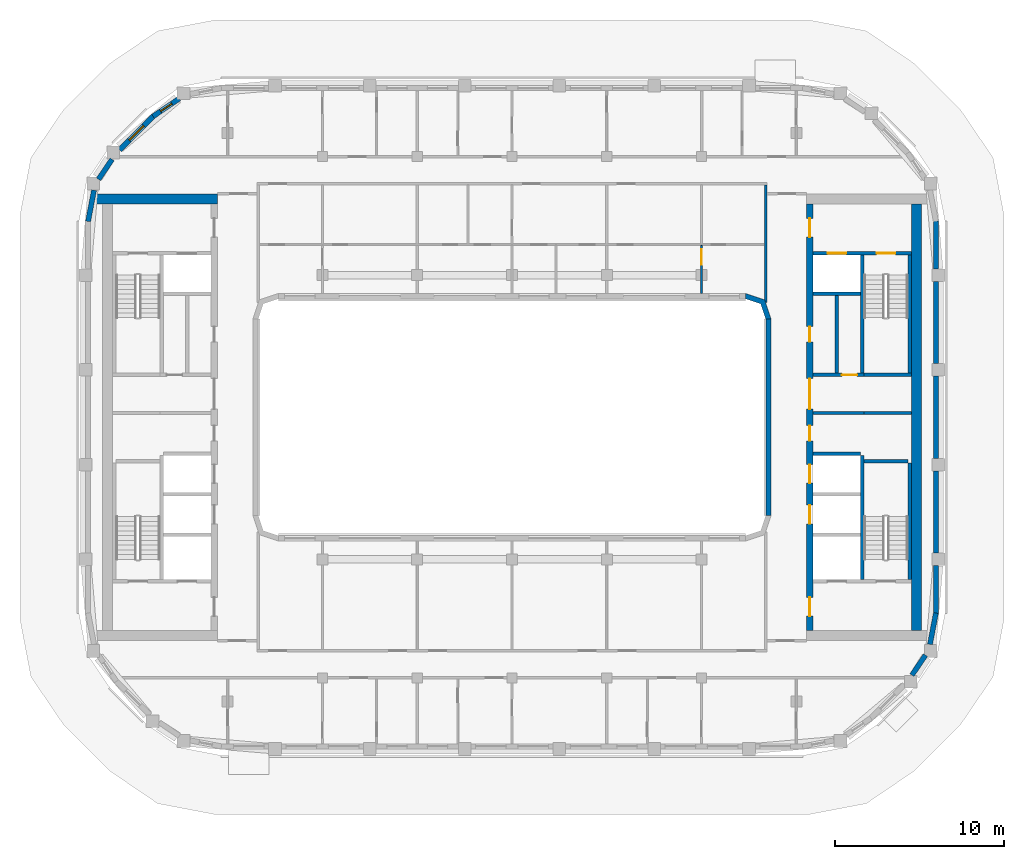
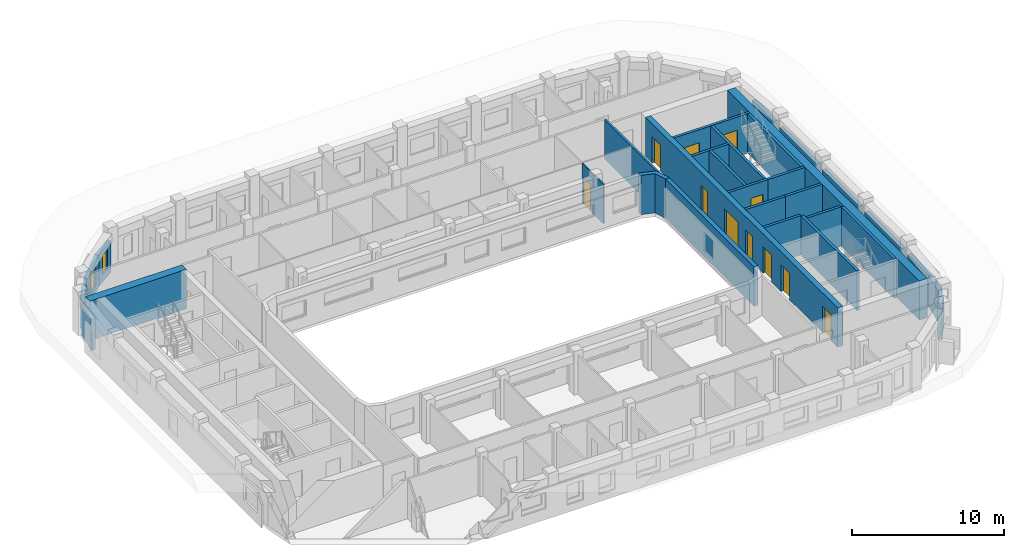
# One storey, part 6 of 14: 31 walls, 11 doors, 2 windows, 13 openings.
"""IFC4 building model written with IfcOpenShell, lengths in metres."""

from ifc_helpers import new_model, si_unit, direction, frame, frame_2d, origin, place, context, subcontext, project, spatial, polyline, rectangle, outline, extrude, material, layer, layer_set, type_object, element, fill, save


model = new_model("IFC4")

# Units and contexts
model_context = context("Model", 3, precision=1e-05, world=origin(), true_north=direction((0.0, 1.0)))
body_context = subcontext(model_context, "Body", "Model", "MODEL_VIEW")
ifc_project = project(units=[si_unit("LENGTHUNIT", "METRE"), si_unit("AREAUNIT", "SQUARE_METRE"), si_unit("VOLUMEUNIT", "CUBIC_METRE"), si_unit("PLANEANGLEUNIT", "RADIAN"), si_unit("MASSUNIT", "GRAM", prefix="KILO")], contexts=[model_context])

# Site, building, storey
site_placement = place(None, origin())
site = spatial("IfcSite", under=ifc_project, at=site_placement, CompositionType="ELEMENT")
building_placement = place(site_placement, origin())
building = spatial("IfcBuilding", under=site, at=building_placement, Name="Kiln Ring Residences", CompositionType="ELEMENT")
storey_placement = place(building_placement, frame((0.0, 0.0, 280.199951171875)))
storey = spatial("IfcBuildingStorey", under=building, at=storey_placement, Name="L73", CompositionType="ELEMENT", Elevation=280.199951171875)

# Walls
ifc_material_1 = material(Name="Gypsum board on steel studs", Category="steel")
ifc_layer_1 = layer(ifc_material_1, 0.199951171875)
ifc_layer_set_1 = layer_set([ifc_layer_1], Name="CORE-PARTITION-200")
wall_type_1 = type_object("IfcWallType", Name="CORE-PARTITION-200", PredefinedType="PARTITIONING", material=ifc_layer_set_1)
wall_1_placement = place(storey_placement, frame((20.800048828125, 0.25, 0.0), z_axis=(0.0, 0.0, 1.0), x_axis=(1.0, 0.0, 0.0)))
element("IfcWall", 1, at=wall_1_placement, inside=storey, type_object=wall_type_1, Name="Core partition east L73 1", PredefinedType="PARTITIONING", context=body_context, shape_type="SweptSolid", body=[
    extrude(rectangle(XDim=2.800048828125, YDim=0.199951171875, at=frame_2d((1.39990234375, 0.0))), origin(), (0.0, 0.0, 1.0), 3.150146484375),
])
wall_2_placement = place(storey_placement, frame((19.199951171875, 2.60009765625, 0.0), z_axis=(0.0, 0.0, 1.0), x_axis=(0.0, 1.0, 0.0)))
element("IfcWall", 2, at=wall_2_placement, inside=storey, type_object=wall_type_1, Name="Core partition east L73 2", PredefinedType="PARTITIONING", context=body_context, shape_type="SweptSolid", body=[
    extrude(rectangle(XDim=4.599853515625, YDim=0.199951171875, at=frame_2d((2.2998046875, 0.0))), origin(), (0.0, 0.0, 1.0), 3.150146484375),
])
ifc_material_2 = material(Name="Gypsum shaft wall system")
ifc_layer_2 = layer(ifc_material_2, 0.199951171875)
ifc_layer_set_2 = layer_set([ifc_layer_2], Name="CORE-SHAFT-WALL-200")
wall_type_2 = type_object("IfcWallType", Name="CORE-SHAFT-WALL-200", PredefinedType="PARTITIONING", material=ifc_layer_set_2)
wall_3_placement = place(storey_placement, frame((17.800048828125, -2.14990234375, 0.0), z_axis=(0.0, 0.0, 1.0), x_axis=(1.0, 0.0, 0.0)))
element("IfcWall", 3, at=wall_3_placement, inside=storey, type_object=wall_type_2, Name="Core partition east L73 5", PredefinedType="PARTITIONING", context=body_context, shape_type="SweptSolid", body=[
    extrude(rectangle(XDim=2.800048828125, YDim=0.199951171875, at=frame_2d((1.39990234375, 0.0))), origin(), (0.0, 0.0, 1.0), 3.150146484375),
])
wall_4_placement = place(storey_placement, frame((17.800048828125, 0.25, 0.0), z_axis=(0.0, 0.0, 1.0), x_axis=(1.0, 0.0, 0.0)))
element("IfcWall", 4, at=wall_4_placement, inside=storey, type_object=wall_type_2, Name="Core partition east L73 6", PredefinedType="PARTITIONING", context=body_context, shape_type="SweptSolid", body=[
    extrude(rectangle(XDim=3.0, YDim=0.199951171875, at=frame_2d((1.5, 0.0))), origin(), (0.0, 0.0, 1.0), 3.150146484375),
])

# Wall, opening, door
wall_5_placement = place(storey_placement, frame((17.800048828125, 2.5, 0.0), z_axis=(0.0, 0.0, 1.0), x_axis=(1.0, 0.0, 0.0)))
wall_5 = element("IfcWall", 5, at=wall_5_placement, inside=storey, type_object=wall_type_2, Name="Core partition east L73 7", PredefinedType="PARTITIONING", context=body_context, shape_type="SweptSolid", body=[
    extrude(rectangle(XDim=3.0, YDim=0.199951171875, at=frame_2d((1.5, 0.0))), origin(), (0.0, 0.0, 1.0), 3.150146484375),
])
opening_1_placement = place(wall_5_placement, frame((1.699951171875, 0.0, 0.0)))
opening_1 = element("IfcOpeningElement", 6, at=opening_1_placement, cuts=wall_5, Name="Opening L73-CE06", PredefinedType="OPENING", context=body_context, shape_type="SweptSolid", body=[
    extrude(rectangle(XDim=0.89990234375, YDim=2.10009765625, at=frame_2d((0.449951171875, 1.050048828125))), frame((0.0, 0.10986328125, 0.0), z_axis=(0.0, -1.0, 0.0), x_axis=(1.0, 0.0, 0.0)), (0.0, 0.0, 1.0), 0.219970703125),
])
ifc_material_3 = material(Name="Steel door leaf", Category="steel")
door_type_1 = type_object("IfcDoorType", Name="CORE-DOOR-ROOM", OperationType="SINGLE_SWING_LEFT", PredefinedType="DOOR", material=ifc_material_3)
door_1_placement = place(opening_1_placement, origin())
door_1 = element("IfcDoor", 7, at=door_1_placement, inside=storey, type_object=door_type_1, Name="Linen store L73-CE06", OperationType="SINGLE_SWING_RIGHT", OverallHeight=2.10009765625, OverallWidth=0.89990234375, PredefinedType="DOOR", context=body_context, shape_type="SweptSolid", body=[
    extrude(rectangle(XDim=0.89990234375, YDim=2.10009765625, at=frame_2d((0.449951171875, 1.050048828125))), frame((0.0, 0.02490234375, 0.0), z_axis=(0.0, -1.0, 0.0), x_axis=(1.0, 0.0, 0.0)), (0.0, 0.0, 1.0), 0.050048828125),
])
fill(opening_1, door_1)

# Walls
wall_6_placement = place(storey_placement, frame((17.800048828125, 7.300048828125, 0.0), z_axis=(0.0, 0.0, 1.0), x_axis=(1.0, 0.0, 0.0)))
element("IfcWall", 8, at=wall_6_placement, inside=storey, type_object=wall_type_2, Name="Core partition east L73 8", PredefinedType="PARTITIONING", context=body_context, shape_type="SweptSolid", body=[
    extrude(rectangle(XDim=2.800048828125, YDim=0.199951171875, at=frame_2d((1.39990234375, 0.0))), origin(), (0.0, 0.0, 1.0), 3.150146484375),
])
ifc_material_4 = material(Name="Concrete C40/50", Category="concrete")
ifc_layer_3 = layer(ifc_material_4, 0.199951171875)
ifc_layer_set_3 = layer_set([ifc_layer_3], Name="CORE-WALL-RC200")
wall_type_3 = type_object("IfcWallType", Name="CORE-WALL-RC200", PredefinedType="SHEAR", material=ifc_layer_set_3)
wall_7_placement = place(storey_placement, frame((20.699951171875, 2.60009765625, 0.0), z_axis=(0.0, 0.0, 1.0), x_axis=(0.0, 1.0, 0.0)))
element("IfcWall", 9, at=wall_7_placement, inside=storey, type_object=wall_type_3, Name="Core wall east L73 1", PredefinedType="SHEAR", context=body_context, shape_type="SweptSolid", body=[
    extrude(rectangle(XDim=7.0, YDim=0.199951171875, at=frame_2d((3.5, 0.0))), origin(), (0.0, 0.0, 1.0), 3.150146484375),
])
wall_8_placement = place(storey_placement, frame((20.699951171875, -9.60009765625, 0.0), z_axis=(0.0, 0.0, 1.0), x_axis=(0.0, 1.0, 0.0)))
element("IfcWall", 10, at=wall_8_placement, inside=storey, type_object=wall_type_3, Name="Core wall east L73 2", PredefinedType="SHEAR", context=body_context, shape_type="SweptSolid", body=[
    extrude(rectangle(XDim=7.35009765625, YDim=0.199951171875, at=frame_2d((3.675048828125, 0.0))), origin(), (0.0, 0.0, 1.0), 3.150146484375),
])
wall_9_placement = place(storey_placement, frame((20.800048828125, 2.5, 0.0), z_axis=(0.0, 0.0, 1.0), x_axis=(1.0, 0.0, 0.0)))
element("IfcWall", 11, at=wall_9_placement, inside=storey, type_object=wall_type_3, Name="Core wall east L73 3", PredefinedType="SHEAR", context=body_context, shape_type="SweptSolid", body=[
    extrude(rectangle(XDim=2.800048828125, YDim=0.199951171875, at=frame_2d((1.39990234375, 0.0))), origin(), (0.0, 0.0, 1.0), 3.150146484375),
])

# Wall, openings, doors
wall_10_placement = place(storey_placement, frame((17.800048828125, 9.699951171875, 0.0), z_axis=(0.0, 0.0, 1.0), x_axis=(1.0, 0.0, 0.0)))
wall_10 = element("IfcWall", 12, at=wall_10_placement, inside=storey, type_object=wall_type_3, Name="Core wall east L73 9", PredefinedType="SHEAR", context=body_context, shape_type="SweptSolid", body=[
    extrude(rectangle(XDim=5.800048828125, YDim=0.199951171875, at=frame_2d((2.89990234375, 0.0))), origin(), (0.0, 0.0, 1.0), 3.150146484375),
])
opening_2_placement = place(wall_10_placement, frame((0.85009765625, 0.0, 0.0)))
opening_2 = element("IfcOpeningElement", 13, at=opening_2_placement, cuts=wall_10, Name="Opening L73-CE07", PredefinedType="OPENING", context=body_context, shape_type="SweptSolid", body=[
    extrude(rectangle(XDim=1.10009765625, YDim=2.10009765625, at=frame_2d((0.550048828125, 1.050048828125))), frame((0.0, 0.10986328125, 0.0), z_axis=(0.0, -1.0, 0.0), x_axis=(1.0, 0.0, 0.0)), (0.0, 0.0, 1.0), 0.219970703125),
])
opening_3_placement = place(wall_10_placement, frame((3.75, 0.0, 0.0)))
opening_3 = element("IfcOpeningElement", 14, at=opening_3_placement, cuts=wall_10, Name="Opening L73-CE10", PredefinedType="OPENING", context=body_context, shape_type="SweptSolid", body=[
    extrude(rectangle(XDim=1.10009765625, YDim=2.10009765625, at=frame_2d((0.550048828125, 1.050048828125))), frame((0.0, 0.10986328125, 0.0), z_axis=(0.0, -1.0, 0.0), x_axis=(1.0, 0.0, 0.0)), (0.0, 0.0, 1.0), 0.219970703125),
])
ifc_material_5 = material(Name="Steel door leaf", Category="steel")
door_type_2 = type_object("IfcDoorType", Name="CORE-DOOR-LD", OperationType="DOUBLE_DOOR_SLIDING", PredefinedType="DOOR", material=ifc_material_5)
door_2_placement = place(opening_2_placement, origin())
door_2 = element("IfcDoor", 15, at=door_2_placement, inside=storey, type_object=door_type_2, Name="LD E-FF L73-CE07", OperationType="DOUBLE_DOOR_SLIDING", OverallHeight=2.10009765625, OverallWidth=1.10009765625, PredefinedType="DOOR", context=body_context, shape_type="SweptSolid", body=[
    extrude(rectangle(XDim=1.10009765625, YDim=2.10009765625, at=frame_2d((0.550048828125, 1.050048828125))), frame((0.0, 0.02490234375, 0.0), z_axis=(0.0, -1.0, 0.0), x_axis=(1.0, 0.0, 0.0)), (0.0, 0.0, 1.0), 0.050048828125),
])
fill(opening_2, door_2)
ifc_material_6 = material(Name="Steel door leaf", Category="steel")
door_type_3 = type_object("IfcDoorType", Name="CORE-DOOR-STAIR", OperationType="SINGLE_SWING_LEFT", PredefinedType="DOOR", material=ifc_material_6)
door_3_placement = place(opening_3_placement, origin())
door_3 = element("IfcDoor", 16, at=door_3_placement, inside=storey, type_object=door_type_3, Name="Stair E-STN L73-CE10", OperationType="SINGLE_SWING_LEFT", OverallHeight=2.10009765625, OverallWidth=1.10009765625, PredefinedType="DOOR", context=body_context, shape_type="SweptSolid", body=[
    extrude(rectangle(XDim=1.10009765625, YDim=2.10009765625, at=frame_2d((0.550048828125, 1.050048828125))), frame((0.0, 0.02490234375, 0.0), z_axis=(0.0, -1.0, 0.0), x_axis=(1.0, 0.0, 0.0)), (0.0, 0.0, 1.0), 0.050048828125),
])
fill(opening_3, door_3)

# Walls
wall_11_placement = place(storey_placement, frame((23.5, 2.60009765625, 0.0), z_axis=(0.0, 0.0, 1.0), x_axis=(0.0, 1.0, 0.0)))
element("IfcWall", 17, at=wall_11_placement, inside=storey, type_object=wall_type_3, Name="Core wall east L73 10", PredefinedType="SHEAR", context=body_context, shape_type="SweptSolid", body=[
    extrude(rectangle(XDim=7.0, YDim=0.199951171875, at=frame_2d((3.5, 0.0))), origin(), (0.0, 0.0, 1.0), 3.150146484375),
])
wall_12_placement = place(storey_placement, frame((23.5, -9.60009765625, 0.0), z_axis=(0.0, 0.0, 1.0), x_axis=(0.0, 1.0, 0.0)))
element("IfcWall", 18, at=wall_12_placement, inside=storey, type_object=wall_type_3, Name="Core wall east L73 11", PredefinedType="SHEAR", context=body_context, shape_type="SweptSolid", body=[
    extrude(rectangle(XDim=6.900146484375, YDim=0.199951171875, at=frame_2d((3.4501953125, 0.0))), origin(), (0.0, 0.0, 1.0), 3.150146484375),
])
wall_13_placement = place(storey_placement, frame((20.800048828125, -2.60009765625, 0.0), z_axis=(0.0, 0.0, 1.0), x_axis=(1.0, 0.0, 0.0)))
element("IfcWall", 19, at=wall_13_placement, inside=storey, type_object=wall_type_3, Name="Core wall east L73 12", PredefinedType="SHEAR", context=body_context, shape_type="SweptSolid", body=[
    extrude(rectangle(XDim=2.599853515625, YDim=0.199951171875, at=frame_2d((1.2998046875, 0.0))), origin(), (0.0, 0.0, 1.0), 3.150146484375),
])

# Wall, openings, doors
ifc_material_7 = material(Name="Concrete C60/75", Category="concrete")
ifc_layer_4 = layer(ifc_material_7, 0.39990234375)
ifc_layer_set_4 = layer_set([ifc_layer_4], Name="CORE-WALL-RC400")
wall_type_4 = type_object("IfcWallType", Name="CORE-WALL-RC400", PredefinedType="SHEAR", material=ifc_layer_set_4)
wall_14_placement = place(storey_placement, frame((17.60009765625, -12.60009765625, 0.0), z_axis=(0.0, 0.0, 1.0), x_axis=(0.0, 1.0, 0.0)))
wall_14 = element("IfcWall", 20, at=wall_14_placement, inside=storey, type_object=wall_type_4, Name="Core wall east L73 6", PredefinedType="SHEAR", context=body_context, shape_type="SweptSolid", body=[
    extrude(rectangle(XDim=25.2001953125, YDim=0.39990234375, at=frame_2d((12.60009765625, 0.0))), origin(), (0.0, 0.0, 1.0), 3.150146484375),
])
opening_4_placement = place(wall_14_placement, frame((6.300048828125, 0.0, 0.0)))
opening_4 = element("IfcOpeningElement", 21, at=opening_4_placement, cuts=wall_14, Name="Opening L73-CE02", PredefinedType="OPENING", context=body_context, shape_type="SweptSolid", body=[
    extrude(rectangle(XDim=1.10009765625, YDim=2.10009765625, at=frame_2d((0.550048828125, 1.050048828125))), frame((0.0, 0.2099609375, 0.0), z_axis=(0.0, -1.0, 0.0), x_axis=(1.0, 0.0, 0.0)), (0.0, 0.0, 1.0), 0.419921875),
])
opening_5_placement = place(wall_14_placement, frame((8.699951171875, 0.0, 0.0)))
opening_5 = element("IfcOpeningElement", 22, at=opening_5_placement, cuts=wall_14, Name="Opening L73-CE03", PredefinedType="OPENING", context=body_context, shape_type="SweptSolid", body=[
    extrude(rectangle(XDim=1.10009765625, YDim=2.10009765625, at=frame_2d((0.550048828125, 1.050048828125))), frame((0.0, 0.2099609375, 0.0), z_axis=(0.0, -1.0, 0.0), x_axis=(1.0, 0.0, 0.0)), (0.0, 0.0, 1.0), 0.419921875),
])
opening_6_placement = place(wall_14_placement, frame((11.199951171875, 0.0, 0.0)))
opening_6 = element("IfcOpeningElement", 23, at=opening_6_placement, cuts=wall_14, Name="Opening L73-CE04", PredefinedType="OPENING", context=body_context, shape_type="SweptSolid", body=[
    extrude(rectangle(XDim=0.89990234375, YDim=2.10009765625, at=frame_2d((0.449951171875, 1.050048828125))), frame((0.0, 0.2099609375, 0.0), z_axis=(0.0, -1.0, 0.0), x_axis=(1.0, 0.0, 0.0)), (0.0, 0.0, 1.0), 0.419921875),
])
opening_7_placement = place(wall_14_placement, frame((17.050048828125, 0.0, 0.0)))
opening_7 = element("IfcOpeningElement", 24, at=opening_7_placement, cuts=wall_14, Name="Opening L73-CE05", PredefinedType="OPENING", context=body_context, shape_type="SweptSolid", body=[
    extrude(rectangle(XDim=0.89990234375, YDim=2.10009765625, at=frame_2d((0.449951171875, 1.050048828125))), frame((0.0, 0.2099609375, 0.0), z_axis=(0.0, -1.0, 0.0), x_axis=(1.0, 0.0, 0.0)), (0.0, 0.0, 1.0), 0.419921875),
])
opening_8_placement = place(wall_14_placement, frame((23.25, 0.0, 0.0)))
opening_8 = element("IfcOpeningElement", 25, at=opening_8_placement, cuts=wall_14, Name="Opening L73-CE08", PredefinedType="OPENING", context=body_context, shape_type="SweptSolid", body=[
    extrude(rectangle(XDim=1.10009765625, YDim=2.10009765625, at=frame_2d((0.550048828125, 1.050048828125))), frame((0.0, 0.2099609375, 0.0), z_axis=(0.0, -1.0, 0.0), x_axis=(1.0, 0.0, 0.0)), (0.0, 0.0, 1.0), 0.419921875),
])
opening_9_placement = place(wall_14_placement, frame((0.85009765625, 0.0, 0.0)))
opening_9 = element("IfcOpeningElement", 26, at=opening_9_placement, cuts=wall_14, Name="Opening L73-CE09", PredefinedType="OPENING", context=body_context, shape_type="SweptSolid", body=[
    extrude(rectangle(XDim=1.10009765625, YDim=2.10009765625, at=frame_2d((0.550048828125, 1.050048828125))), frame((0.0, 0.2099609375, 0.0), z_axis=(0.0, -1.0, 0.0), x_axis=(1.0, 0.0, 0.0)), (0.0, 0.0, 1.0), 0.419921875),
])
opening_10_placement = place(wall_14_placement, frame((13.074951171875, 0.0, 0.0)))
opening_10 = element("IfcOpeningElement", 27, at=opening_10_placement, cuts=wall_14, Name="Opening L73-CE12", PredefinedType="OPENING", context=body_context, shape_type="SweptSolid", body=[
    extrude(rectangle(XDim=1.800048828125, YDim=2.10009765625, at=frame_2d((0.89990234375, 1.050048828125))), frame((0.0, 0.2099609375, 0.0), z_axis=(0.0, -1.0, 0.0), x_axis=(1.0, 0.0, 0.0)), (0.0, 0.0, 1.0), 0.419921875),
])
door_4_placement = place(opening_4_placement, origin())
door_4 = element("IfcDoor", 28, at=door_4_placement, inside=storey, type_object=door_type_2, Name="LD E-H1 L73-CE02", OperationType="DOUBLE_DOOR_SLIDING", OverallHeight=2.10009765625, OverallWidth=1.10009765625, PredefinedType="DOOR", context=body_context, shape_type="SweptSolid", body=[
    extrude(rectangle(XDim=1.10009765625, YDim=2.10009765625, at=frame_2d((0.550048828125, 1.050048828125))), frame((0.0, 0.02490234375, 0.0), z_axis=(0.0, -1.0, 0.0), x_axis=(1.0, 0.0, 0.0)), (0.0, 0.0, 1.0), 0.050048828125),
])
fill(opening_4, door_4)
door_5_placement = place(opening_5_placement, origin())
door_5 = element("IfcDoor", 29, at=door_5_placement, inside=storey, type_object=door_type_2, Name="LD E-H2 L73-CE03", OperationType="DOUBLE_DOOR_SLIDING", OverallHeight=2.10009765625, OverallWidth=1.10009765625, PredefinedType="DOOR", context=body_context, shape_type="SweptSolid", body=[
    extrude(rectangle(XDim=1.10009765625, YDim=2.10009765625, at=frame_2d((0.550048828125, 1.050048828125))), frame((0.0, 0.02490234375, 0.0), z_axis=(0.0, -1.0, 0.0), x_axis=(1.0, 0.0, 0.0)), (0.0, 0.0, 1.0), 0.050048828125),
])
fill(opening_5, door_5)
ifc_material_8 = material(Name="Steel door leaf", Category="steel")
door_type_4 = type_object("IfcDoorType", Name="CORE-DOOR-LOBBY", OperationType="SINGLE_SWING_LEFT", PredefinedType="DOOR", material=ifc_material_8)
door_6_placement = place(opening_8_placement, origin())
door_6 = element("IfcDoor", 30, at=door_6_placement, inside=storey, type_object=door_type_4, Name="FFL L73-CE08", OperationType="SINGLE_SWING_RIGHT", OverallHeight=2.10009765625, OverallWidth=1.10009765625, PredefinedType="DOOR", context=body_context, shape_type="SweptSolid", body=[
    extrude(rectangle(XDim=1.10009765625, YDim=2.10009765625, at=frame_2d((0.550048828125, 1.050048828125))), frame((0.0, 0.02490234375, 0.0), z_axis=(0.0, -1.0, 0.0), x_axis=(1.0, 0.0, 0.0)), (0.0, 0.0, 1.0), 0.050048828125),
])
fill(opening_8, door_6)
door_7_placement = place(opening_9_placement, origin())
door_7 = element("IfcDoor", 31, at=door_7_placement, inside=storey, type_object=door_type_4, Name="SVL L73-CE09", OperationType="SINGLE_SWING_LEFT", OverallHeight=2.10009765625, OverallWidth=1.10009765625, PredefinedType="DOOR", context=body_context, shape_type="SweptSolid", body=[
    extrude(rectangle(XDim=1.10009765625, YDim=2.10009765625, at=frame_2d((0.550048828125, 1.050048828125))), frame((0.0, 0.02490234375, 0.0), z_axis=(0.0, -1.0, 0.0), x_axis=(1.0, 0.0, 0.0)), (0.0, 0.0, 1.0), 0.050048828125),
])
fill(opening_9, door_7)
ifc_material_9 = material(Name="Steel door leaf", Category="steel")
door_type_5 = type_object("IfcDoorType", Name="CORE-DOOR-PASS", OperationType="DOUBLE_DOOR_SINGLE_SWING", PredefinedType="DOOR", material=ifc_material_9)
door_8_placement = place(opening_10_placement, origin())
door_8 = element("IfcDoor", 32, at=door_8_placement, inside=storey, type_object=door_type_5, Name="Core passage L73-CE12", OperationType="DOUBLE_DOOR_SINGLE_SWING", OverallHeight=2.10009765625, OverallWidth=1.800048828125, PredefinedType="DOOR", context=body_context, shape_type="SweptSolid", body=[
    extrude(rectangle(XDim=1.800048828125, YDim=2.10009765625, at=frame_2d((0.89990234375, 1.050048828125))), frame((0.0, 0.02490234375, 0.0), z_axis=(0.0, -1.0, 0.0), x_axis=(1.0, 0.0, 0.0)), (0.0, 0.0, 1.0), 0.050048828125),
])
fill(opening_10, door_8)
door_9_placement = place(opening_6_placement, origin())
door_9 = element("IfcDoor", 33, at=door_9_placement, inside=storey, type_object=door_type_1, Name="Linen store L73-CE04", OperationType="SINGLE_SWING_LEFT", OverallHeight=2.10009765625, OverallWidth=0.89990234375, PredefinedType="DOOR", context=body_context, shape_type="SweptSolid", body=[
    extrude(rectangle(XDim=0.89990234375, YDim=2.10009765625, at=frame_2d((0.449951171875, 1.050048828125))), frame((0.0, 0.02490234375, 0.0), z_axis=(0.0, -1.0, 0.0), x_axis=(1.0, 0.0, 0.0)), (0.0, 0.0, 1.0), 0.050048828125),
])
fill(opening_6, door_9)
door_10_placement = place(opening_7_placement, origin())
door_10 = element("IfcDoor", 34, at=door_10_placement, inside=storey, type_object=door_type_1, Name="Janitor's store L73-CE05", OperationType="SINGLE_SWING_RIGHT", OverallHeight=2.10009765625, OverallWidth=0.89990234375, PredefinedType="DOOR", context=body_context, shape_type="SweptSolid", body=[
    extrude(rectangle(XDim=0.89990234375, YDim=2.10009765625, at=frame_2d((0.449951171875, 1.050048828125))), frame((0.0, 0.02490234375, 0.0), z_axis=(0.0, -1.0, 0.0), x_axis=(1.0, 0.0, 0.0)), (0.0, 0.0, 1.0), 0.050048828125),
])
fill(opening_7, door_10)

# Walls
ifc_material_10 = material(Name="Concrete C60/75", Category="concrete")
ifc_layer_5 = layer(ifc_material_10, 0.60009765625)
ifc_layer_set_5 = layer_set([ifc_layer_5], Name="CORE-WALL-RC600")
wall_type_5 = type_object("IfcWallType", Name="CORE-WALL-RC600", PredefinedType="SHEAR", material=ifc_layer_set_5)
wall_15_placement = place(storey_placement, frame((-17.39990234375, 12.89990234375, 0.0), z_axis=(0.0, 0.0, 1.0), x_axis=(-1.0, 0.0, 0.0)))
element("IfcWall", 35, at=wall_15_placement, inside=storey, type_object=wall_type_5, Name="Core wall west L73 4", PredefinedType="SHEAR", context=body_context, shape_type="SweptSolid", body=[
    extrude(rectangle(XDim=7.320068359375, YDim=0.60009765625, at=frame_2d((3.66015625, 0.0))), origin(), (0.0, 0.0, 1.0), 3.150146484375),
])
wall_16_placement = place(storey_placement, frame((23.89990234375, -12.60009765625, 0.0), z_axis=(0.0, 0.0, 1.0), x_axis=(0.0, 1.0, 0.0)))
element("IfcWall", 36, at=wall_16_placement, inside=storey, type_object=wall_type_5, Name="Core wall east L73 7", PredefinedType="SHEAR", context=body_context, shape_type="SweptSolid", body=[
    extrude(rectangle(XDim=25.2001953125, YDim=0.60009765625, at=frame_2d((12.60009765625, 0.0))), origin(), (0.0, 0.0, 1.0), 3.150146484375),
])
ifc_material_11 = material(Name="Brick masonry, dark clay brick", Category="masonry")
ifc_layer_6 = layer(ifc_material_11, 0.300048828125)
ifc_layer_set_6 = layer_set([ifc_layer_6], Name="EW-300 BRICK WALL")
wall_type_6 = type_object("IfcWallType", Name="EW-300 BRICK WALL", PredefinedType="SOLIDWALL", material=ifc_layer_set_6)
wall_17_placement = place(storey_placement, frame((23.634033203125, -15.2373046875, 0.0), z_axis=(0.0, 0.0, 1.0), x_axis=(0.562099454787, 0.827069648173, 0.0)))
element("IfcWall", 37, at=wall_17_placement, inside=storey, type_object=wall_type_6, Name="Facade wall L73 14", PredefinedType="SOLIDWALL", context=body_context, shape_type="SweptSolid", body=[
    extrude(rectangle(XDim=1.42724609375, YDim=0.300048828125, at=frame_2d((0.713623046875, 0.0))), origin(), (0.0, 0.0, 1.0), 2.5),
])
wall_18_placement = place(storey_placement, frame((24.7001953125, -13.419677734375, 0.0), z_axis=(0.0, 0.0, 1.0), x_axis=(0.187398348234, 0.982284001233, 0.0)))
element("IfcWall", 38, at=wall_18_placement, inside=storey, type_object=wall_type_6, Name="Facade wall L73 15", PredefinedType="SOLIDWALL", context=body_context, shape_type="SweptSolid", body=[
    extrude(rectangle(XDim=1.88134765625, YDim=0.300048828125, at=frame_2d((0.940673828125, 0.0))), origin(), (0.0, 0.0, 1.0), 2.5),
])
wall_19_placement = place(storey_placement, frame((25.050048828125, -11.60009765625, 0.0), z_axis=(0.0, 0.0, 1.0), x_axis=(0.0, 1.0, 0.0)))
element("IfcWall", 39, at=wall_19_placement, inside=storey, type_object=wall_type_6, Name="Facade wall L73 16", PredefinedType="SOLIDWALL", context=body_context, shape_type="SweptSolid", body=[
    extrude(rectangle(XDim=2.8251953125, YDim=0.300048828125, at=frame_2d((1.41259765625, 0.0))), origin(), (0.0, 0.0, 1.0), 2.5),
])
wall_20_placement = place(storey_placement, frame((25.050048828125, -8.02490234375, 0.0), z_axis=(0.0, 0.0, 1.0), x_axis=(0.0, 1.0, 0.0)))
element("IfcWall", 40, at=wall_20_placement, inside=storey, type_object=wall_type_6, Name="Facade wall L73 17", PredefinedType="SOLIDWALL", context=body_context, shape_type="SweptSolid", body=[
    extrude(rectangle(XDim=4.849853515625, YDim=0.300048828125, at=frame_2d((2.4248046875, 0.0))), origin(), (0.0, 0.0, 1.0), 2.5),
])
wall_21_placement = place(storey_placement, frame((25.050048828125, -2.425048828125, 0.0), z_axis=(0.0, 0.0, 1.0), x_axis=(0.0, 1.0, 0.0)))
element("IfcWall", 41, at=wall_21_placement, inside=storey, type_object=wall_type_6, Name="Facade wall L73 18", PredefinedType="SOLIDWALL", context=body_context, shape_type="SweptSolid", body=[
    extrude(rectangle(XDim=4.85009765625, YDim=0.300048828125, at=frame_2d((2.425048828125, 0.0))), origin(), (0.0, 0.0, 1.0), 2.5),
])
wall_22_placement = place(storey_placement, frame((25.050048828125, 3.175048828125, 0.0), z_axis=(0.0, 0.0, 1.0), x_axis=(0.0, 1.0, 0.0)))
element("IfcWall", 42, at=wall_22_placement, inside=storey, type_object=wall_type_6, Name="Facade wall L73 19", PredefinedType="SOLIDWALL", context=body_context, shape_type="SweptSolid", body=[
    extrude(rectangle(XDim=4.849853515625, YDim=0.300048828125, at=frame_2d((2.4248046875, 0.0))), origin(), (0.0, 0.0, 1.0), 2.5),
])
wall_23_placement = place(storey_placement, frame((25.050048828125, 8.77490234375, 0.0), z_axis=(0.0, 0.0, 1.0), x_axis=(0.0, 1.0, 0.0)))
element("IfcWall", 43, at=wall_23_placement, inside=storey, type_object=wall_type_6, Name="Facade wall L73 20", PredefinedType="SOLIDWALL", context=body_context, shape_type="SweptSolid", body=[
    extrude(rectangle(XDim=2.8251953125, YDim=0.300048828125, at=frame_2d((1.41259765625, 0.0))), origin(), (0.0, 0.0, 1.0), 2.5),
])

# Wall, opening, window
wall_24_placement = place(storey_placement, frame((-19.656982421875, 18.836181640625, 0.0), z_axis=(0.0, 0.0, 1.0), x_axis=(-0.82704477487, -0.562136051469, 0.0)))
wall_24 = element("IfcWall", 44, at=wall_24_placement, inside=storey, type_object=wall_type_6, Name="Facade wall L73 34", PredefinedType="SOLIDWALL", context=body_context, shape_type="SweptSolid", body=[
    extrude(rectangle(XDim=1.881103515625, YDim=0.300048828125, at=frame_2d((0.9404296875, 0.0))), origin(), (0.0, 0.0, 1.0), 2.5),
])
opening_11_placement = place(wall_24_placement, frame((0.54052734375, 0.0, 0.60009765625)))
opening_11 = element("IfcOpeningElement", 45, at=opening_11_placement, cuts=wall_24, Name="Opening W5", PredefinedType="OPENING", context=body_context, shape_type="SweptSolid", body=[
    extrude(rectangle(XDim=0.800048828125, YDim=1.550048828125, at=frame_2d((0.39990234375, 0.77490234375))), frame((0.0, 0.159912109375, 0.0), z_axis=(0.0, -1.0, 0.0), x_axis=(1.0, 0.0, 0.0)), (0.0, 0.0, 1.0), 0.320068359375),
])
ifc_material_12 = material(Name="Aluminium frame with double glazing", Category="aluminium")
window_type_1 = type_object("IfcWindowType", Name="WINDOW 800 x 1550", PartitioningType="SINGLE_PANEL", PredefinedType="WINDOW", material=ifc_material_12)
window_1_placement = place(opening_11_placement, origin())
window_1 = element("IfcWindow", 46, at=window_1_placement, inside=storey, type_object=window_type_1, Name="Window L73 34", OverallHeight=1.550048828125, OverallWidth=0.800048828125, PartitioningType="SINGLE_PANEL", PredefinedType="WINDOW", context=body_context, shape_type="SweptSolid", body=[
    extrude(rectangle(XDim=0.800048828125, YDim=1.550048828125, at=frame_2d((0.39990234375, 0.77490234375))), frame((0.0, 0.030029296875, 0.0), z_axis=(0.0, -1.0, 0.0), x_axis=(1.0, 0.0, 0.0)), (0.0, 0.0, 1.0), 0.06005859375),
])
fill(opening_11, window_1)

wall_25_placement = place(storey_placement, frame((-21.19091796875, 17.796875, 0.0), z_axis=(0.0, 0.0, 1.0), x_axis=(-0.707106781187, -0.707106781187, 0.0)))
wall_25 = element("IfcWall", 47, at=wall_25_placement, inside=storey, type_object=wall_type_6, Name="Facade wall L73 35", PredefinedType="SOLIDWALL", context=body_context, shape_type="SweptSolid", body=[
    extrude(rectangle(XDim=2.824951171875, YDim=0.300048828125, at=frame_2d((1.41259765625, 0.0))), origin(), (0.0, 0.0, 1.0), 2.5),
])
opening_12_placement = place(wall_25_placement, frame((0.8125, 0.0, 0.60009765625)))
opening_12 = element("IfcOpeningElement", 48, at=opening_12_placement, cuts=wall_25, Name="Opening W1", PredefinedType="OPENING", context=body_context, shape_type="SweptSolid", body=[
    extrude(rectangle(XDim=1.199951171875, YDim=1.550048828125, at=frame_2d((0.60009765625, 0.77490234375))), frame((0.0, 0.159912109375, 0.0), z_axis=(0.0, -1.0, 0.0), x_axis=(1.0, 0.0, 0.0)), (0.0, 0.0, 1.0), 0.320068359375),
])
ifc_material_13 = material(Name="Aluminium frame with double glazing", Category="aluminium")
window_type_2 = type_object("IfcWindowType", Name="WINDOW 1200 x 1550", PartitioningType="SINGLE_PANEL", PredefinedType="WINDOW", material=ifc_material_13)
window_2_placement = place(opening_12_placement, origin())
window_2 = element("IfcWindow", 49, at=window_2_placement, inside=storey, type_object=window_type_2, Name="Window L73 35", OverallHeight=1.550048828125, OverallWidth=1.199951171875, PartitioningType="SINGLE_PANEL", PredefinedType="WINDOW", context=body_context, shape_type="SweptSolid", body=[
    extrude(rectangle(XDim=1.199951171875, YDim=1.550048828125, at=frame_2d((0.60009765625, 0.77490234375))), frame((0.0, 0.030029296875, 0.0), z_axis=(0.0, -1.0, 0.0), x_axis=(1.0, 0.0, 0.0)), (0.0, 0.0, 1.0), 0.06005859375),
])
fill(opening_12, window_2)

# Walls
wall_26_placement = place(storey_placement, frame((-23.634033203125, 15.2373046875, 0.0), z_axis=(0.0, 0.0, 1.0), x_axis=(-0.562099454787, -0.827069648173, 0.0)))
element("IfcWall", 50, at=wall_26_placement, inside=storey, type_object=wall_type_6, Name="Facade wall L73 36", PredefinedType="SOLIDWALL", context=body_context, shape_type="SweptSolid", body=[
    extrude(rectangle(XDim=1.42724609375, YDim=0.300048828125, at=frame_2d((0.713623046875, 0.0))), origin(), (0.0, 0.0, 1.0), 2.5),
])
wall_27_placement = place(storey_placement, frame((-24.7001953125, 13.419677734375, 0.0), z_axis=(0.0, 0.0, 1.0), x_axis=(-0.187398348234, -0.982284001233, 0.0)))
element("IfcWall", 51, at=wall_27_placement, inside=storey, type_object=wall_type_6, Name="Facade wall L73 37", PredefinedType="SOLIDWALL", context=body_context, shape_type="SweptSolid", body=[
    extrude(rectangle(XDim=1.88134765625, YDim=0.300048828125, at=frame_2d((0.940673828125, 0.0))), origin(), (0.0, 0.0, 1.0), 2.5),
])
wall_28_placement = place(storey_placement, frame((15.14990234375, 5.800048828125, 0.0), z_axis=(0.0, 0.0, 1.0), x_axis=(0.0, -1.0, 0.0)))
element("IfcWall", 52, at=wall_28_placement, inside=storey, type_object=wall_type_6, Name="Facade wall L73 47", PredefinedType="SOLIDWALL", context=body_context, shape_type="SweptSolid", body=[
    extrude(rectangle(XDim=11.60009765625, YDim=0.300048828125, at=frame_2d((5.800048828125, 0.0))), origin(), (0.0, 0.0, 1.0), 3.150146484375),
])
wall_29_placement = place(storey_placement, origin())
element("IfcWall", 53, at=wall_29_placement, inside=storey, type_object=wall_type_6, Name="Corner wall L73 2", PredefinedType="SOLIDWALL", context=body_context, shape_type="SweptSolid", body=[
    extrude(outline(polyline([(14.937255859375, 6.937255859375), (13.8486328125, 7.300048828125), (13.800048828125, 7.300048828125), (13.800048828125, 7.0), (14.699951171875, 6.699951171875), (15.0, 5.800048828125), (15.300048828125, 5.800048828125), (15.300048828125, 5.8486328125), (14.937255859375, 6.937255859375)])), origin(), (0.0, 0.0, 1.0), 3.150146484375),
])

# Wall, opening, door
ifc_material_14 = material(Name="Gypsum board on steel studs", Category="steel")
ifc_layer_7 = layer(ifc_material_14, 0.10009765625)
ifc_layer_set_7 = layer_set([ifc_layer_7], Name="PARTITION-100")
wall_type_7 = type_object("IfcWallType", Name="PARTITION-100", PredefinedType="PARTITIONING", material=ifc_layer_set_7)
wall_30_placement = place(storey_placement, frame((11.199951171875, 7.320068359375, 0.0), z_axis=(0.0, 0.0, 1.0), x_axis=(0.0, 1.0, 0.0)))
wall_30 = element("IfcWall", 54, at=wall_30_placement, inside=storey, type_object=wall_type_7, Name="Partition 042", PredefinedType="PARTITIONING", context=body_context, shape_type="SweptSolid", body=[
    extrude(rectangle(XDim=2.829833984375, YDim=0.10009765625, at=frame_2d((1.4150390625, 0.0))), origin(), (0.0, 0.0, 1.0), 3.150146484375),
])
opening_13_placement = place(wall_30_placement, frame((1.699951171875, 0.0, 0.0)))
opening_13 = element("IfcOpeningElement", 55, at=opening_13_placement, cuts=wall_30, Name="Opening L73-D018", PredefinedType="OPENING", context=body_context, shape_type="SweptSolid", body=[
    extrude(rectangle(XDim=0.89990234375, YDim=2.10009765625, at=frame_2d((0.449951171875, 1.050048828125))), frame((0.0, 0.06005859375, 0.0), z_axis=(0.0, -1.0, 0.0), x_axis=(1.0, 0.0, 0.0)), (0.0, 0.0, 1.0), 0.1201171875),
])
ifc_material_15 = material(Name="Timber door leaf", Category="wood")
door_type_6 = type_object("IfcDoorType", Name="FLAT-DOOR-900-PL", OperationType="SINGLE_SWING_LEFT", PredefinedType="DOOR", material=ifc_material_15)
door_11_placement = place(opening_13_placement, origin())
door_11 = element("IfcDoor", 56, at=door_11_placement, inside=storey, type_object=door_type_6, Name="Door L73-D018", OperationType="SINGLE_SWING_RIGHT", OverallHeight=2.10009765625, OverallWidth=0.89990234375, PredefinedType="DOOR", context=body_context, shape_type="SweptSolid", body=[
    extrude(rectangle(XDim=0.89990234375, YDim=2.10009765625, at=frame_2d((0.449951171875, 1.050048828125))), frame((0.0, 0.02490234375, 0.0), z_axis=(0.0, -1.0, 0.0), x_axis=(1.0, 0.0, 0.0)), (0.0, 0.0, 1.0), 0.050048828125),
])
fill(opening_13, door_11)

# Wall
ifc_material_16 = material(Name="Brick masonry partition", Category="masonry")
ifc_layer_8 = layer(ifc_material_16, 0.14990234375)
ifc_layer_set_8 = layer_set([ifc_layer_8], Name="PARTITION-150-ei60")
wall_type_8 = type_object("IfcWallType", Name="PARTITION-150-ei60", PredefinedType="PARTITIONING", material=ifc_layer_set_8)
wall_31_placement = place(storey_placement, frame((15.0, 6.768798828125, 0.0), z_axis=(0.0, 0.0, 1.0), x_axis=(0.0, 1.0, 0.0)))
element("IfcWall", 57, at=wall_31_placement, inside=storey, type_object=wall_type_8, Name="Partition 047", PredefinedType="PARTITIONING", context=body_context, shape_type="SweptSolid", body=[
    extrude(rectangle(XDim=6.956298828125, YDim=0.14990234375, at=frame_2d((3.47802734375, 0.0))), origin(), (0.0, 0.0, 1.0), 3.150146484375),
])

save(model, "model.ifc")
